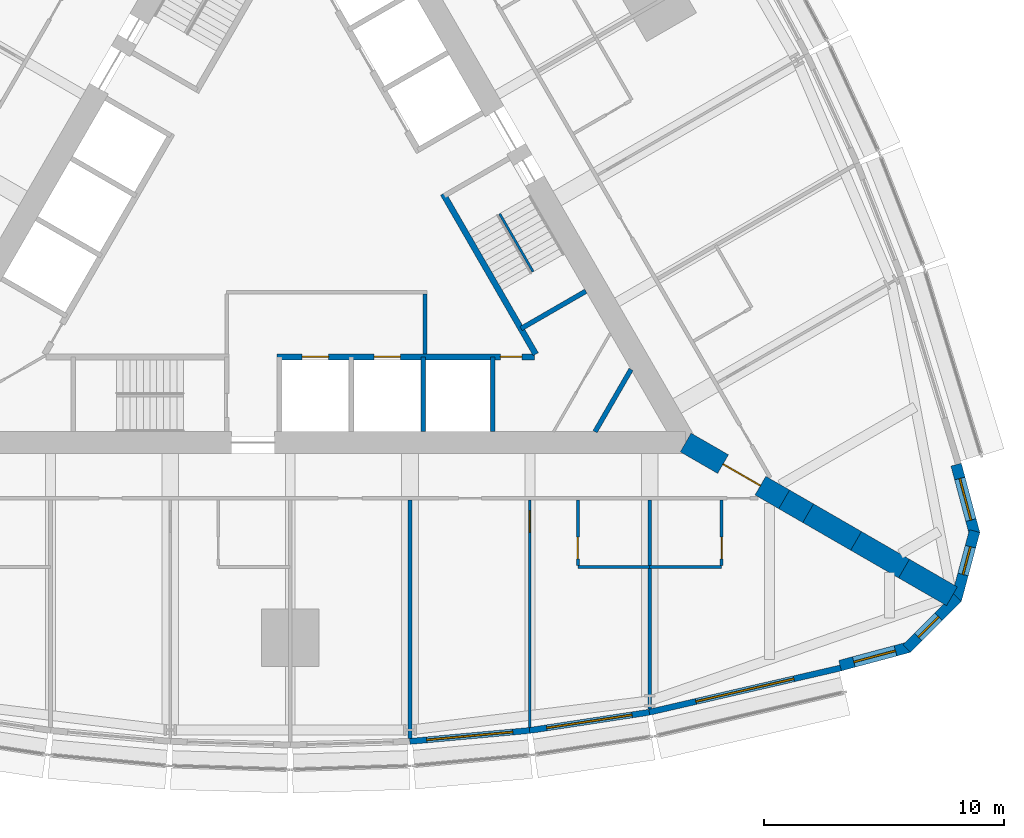
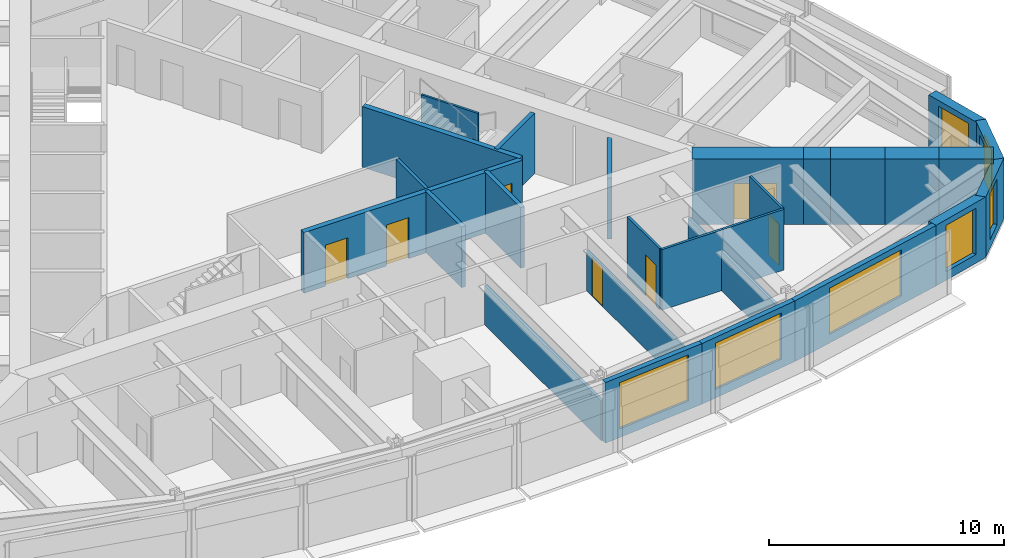
# One storey, part 10 of 14: 27 walls, 7 doors, 7 windows, 14 openings.
"""IFC4 building model written with IfcOpenShell, lengths in metres."""

from ifc_helpers import new_model, si_unit, direction, frame, frame_2d, origin, place, context, subcontext, project, spatial, polyline, rectangle, outline, extrude, material, layer, layer_set, type_object, element, fill, save


model = new_model("IFC4")

# Units and contexts
model_context = context("Model", 3, precision=1e-05, world=origin(), true_north=direction((0.0, 1.0)))
body_context = subcontext(model_context, "Body", "Model", "MODEL_VIEW")
ifc_project = project(units=[si_unit("LENGTHUNIT", "METRE"), si_unit("AREAUNIT", "SQUARE_METRE"), si_unit("VOLUMEUNIT", "CUBIC_METRE"), si_unit("PLANEANGLEUNIT", "RADIAN"), si_unit("MASSUNIT", "GRAM", prefix="KILO")], contexts=[model_context])

# Site, building, storey
site_placement = place(None, origin())
site = spatial("IfcSite", under=ifc_project, at=site_placement, CompositionType="ELEMENT")
building_placement = place(site_placement, origin())
building = spatial("IfcBuilding", under=site, at=building_placement, Name="Trikona Tower", CompositionType="ELEMENT")
storey_placement = place(building_placement, frame((0.0, 0.0, 99.89990234375)))
storey = spatial("IfcBuildingStorey", under=building, at=storey_placement, Name="L26", CompositionType="ELEMENT", Elevation=99.89990234375)

# Wall
ifc_material_1 = material(Name="Metal stud and cement board", Category="gypsum")
ifc_layer_1 = layer(ifc_material_1, 0.1201171875)
ifc_layer_set_1 = layer_set([ifc_layer_1], Name="Bathroom wall 120")
wall_type_1 = type_object("IfcWallType", Name="Bathroom wall 120", PredefinedType="PLUMBINGWALL", material=ifc_layer_set_1)
wall_1_placement = place(storey_placement, frame((12.0, -14.726318359375, 0.0), z_axis=(0.0, 0.0, 1.0), x_axis=(1.0, 0.0, 0.0)))
element("IfcWall", 1, at=wall_1_placement, inside=storey, type_object=wall_type_1, Name="Bathroom wall 2603.1", PredefinedType="PLUMBINGWALL", context=body_context, shape_type="SweptSolid", body=[
    extrude(rectangle(XDim=3.0, YDim=0.1201171875, at=frame_2d((1.5, 0.0))), origin(), (0.0, 0.0, 1.0), 3.150146484375),
])

# Wall, opening, door
wall_2_placement = place(storey_placement, frame((12.0, -11.92626953125, 0.0), z_axis=(0.0, 0.0, 1.0), x_axis=(0.0, -1.0, 0.0)))
wall_2 = element("IfcWall", 2, at=wall_2_placement, inside=storey, type_object=wall_type_1, Name="Bathroom wall 2603.1", PredefinedType="PLUMBINGWALL", context=body_context, shape_type="SweptSolid", body=[
    extrude(rectangle(XDim=2.739990234375, YDim=0.1201171875, at=frame_2d((1.3701171875, 0.0))), origin(), (0.0, 0.0, 1.0), 3.150146484375),
])
opening_1_placement = place(wall_2_placement, frame((1.550048828125, 0.0, 0.0)))
opening_1 = element("IfcOpeningElement", 3, at=opening_1_placement, cuts=wall_2, Name="Opening D2", PredefinedType="OPENING", context=body_context, shape_type="SweptSolid", body=[
    extrude(rectangle(XDim=0.89990234375, YDim=2.1298828125, at=frame_2d((0.449951171875, 1.06494140625))), frame((0.0, 0.070068359375, 0.0), z_axis=(0.0, -1.0, 0.0), x_axis=(1.0, 0.0, 0.0)), (0.0, 0.0, 1.0), 0.14013671875),
])
ifc_material_2 = material(Name="Steel door frame with solid-core timber leaf", Category="steel")
door_type_1 = type_object("IfcDoorType", Name="Bathroom door 900x2130", OperationType="SLIDING_TO_LEFT", PredefinedType="DOOR", material=ifc_material_2)
door_1_placement = place(opening_1_placement, origin())
door_1 = element("IfcDoor", 4, at=door_1_placement, inside=storey, type_object=door_type_1, Name="Bathroom door 2603.1", OperationType="SLIDING_TO_LEFT", OverallHeight=2.1298828125, OverallWidth=0.89990234375, PredefinedType="DOOR", context=body_context, shape_type="SweptSolid", body=[
    extrude(rectangle(XDim=0.89990234375, YDim=2.1298828125, at=frame_2d((0.449951171875, 1.06494140625))), frame((0.0, 0.02490234375, 0.0), z_axis=(0.0, -1.0, 0.0), x_axis=(1.0, 0.0, 0.0)), (0.0, 0.0, 1.0), 0.050048828125),
])
fill(opening_1, door_1)

# Wall
wall_3_placement = place(storey_placement, frame((15.0, -14.726318359375, 0.0), z_axis=(0.0, 0.0, 1.0), x_axis=(1.0, 0.0, 0.0)))
element("IfcWall", 5, at=wall_3_placement, inside=storey, type_object=wall_type_1, Name="Bathroom wall 2604", PredefinedType="PLUMBINGWALL", context=body_context, shape_type="SweptSolid", body=[
    extrude(rectangle(XDim=3.0, YDim=0.1201171875, at=frame_2d((1.5, 0.0))), origin(), (0.0, 0.0, 1.0), 3.150146484375),
])

# Wall, opening, door
wall_4_placement = place(storey_placement, frame((18.0, -11.92626953125, 0.0), z_axis=(0.0, 0.0, 1.0), x_axis=(0.0, -1.0, 0.0)))
wall_4 = element("IfcWall", 6, at=wall_4_placement, inside=storey, type_object=wall_type_1, Name="Bathroom wall 2604", PredefinedType="PLUMBINGWALL", context=body_context, shape_type="SweptSolid", body=[
    extrude(rectangle(XDim=2.739990234375, YDim=0.1201171875, at=frame_2d((1.3701171875, 0.0))), origin(), (0.0, 0.0, 1.0), 3.150146484375),
])
opening_2_placement = place(wall_4_placement, frame((1.550048828125, 0.0, 0.0)))
opening_2 = element("IfcOpeningElement", 7, at=opening_2_placement, cuts=wall_4, Name="Opening D2", PredefinedType="OPENING", context=body_context, shape_type="SweptSolid", body=[
    extrude(rectangle(XDim=0.89990234375, YDim=2.1298828125, at=frame_2d((0.449951171875, 1.06494140625))), frame((0.0, 0.070068359375, 0.0), z_axis=(0.0, -1.0, 0.0), x_axis=(1.0, 0.0, 0.0)), (0.0, 0.0, 1.0), 0.14013671875),
])
door_2_placement = place(opening_2_placement, origin())
door_2 = element("IfcDoor", 8, at=door_2_placement, inside=storey, type_object=door_type_1, Name="Bathroom door 2604", OperationType="SLIDING_TO_LEFT", OverallHeight=2.1298828125, OverallWidth=0.89990234375, PredefinedType="DOOR", context=body_context, shape_type="SweptSolid", body=[
    extrude(rectangle(XDim=0.89990234375, YDim=2.1298828125, at=frame_2d((0.449951171875, 1.06494140625))), frame((0.0, 0.02490234375, 0.0), z_axis=(0.0, -1.0, 0.0), x_axis=(1.0, 0.0, 0.0)), (0.0, 0.0, 1.0), 0.050048828125),
])
fill(opening_2, door_2)

# Wall, opening, window
ifc_material_3 = material(Name="Brick-faced precast concrete", Category="masonry")
ifc_layer_2 = layer(ifc_material_3, 0.449951171875)
ifc_layer_set_2 = layer_set([ifc_layer_2], Name="Brick-faced corner wall 450")
wall_type_2 = type_object("IfcWallType", Name="Brick-faced corner wall 450", PredefinedType="SOLIDWALL", material=ifc_layer_set_2)
wall_5_placement = place(storey_placement, frame((22.94189453125, -18.835205078125, 0.0), z_axis=(0.0, 0.0, 1.0), x_axis=(0.965930548995, 0.258801419081, 0.0)))
wall_5 = element("IfcWall", 9, at=wall_5_placement, inside=storey, type_object=wall_type_2, Name="External wall L26-08", PredefinedType="SOLIDWALL", context=body_context, shape_type="SweptSolid", body=[
    extrude(rectangle(XDim=2.988525390625, YDim=0.449951171875, at=frame_2d((1.494140625, 0.0))), origin(), (0.0, 0.0, 1.0), 3.150146484375),
])
opening_3_placement = place(wall_5_placement, frame((0.59423828125, 0.0, 0.449951171875)))
opening_3 = element("IfcOpeningElement", 10, at=opening_3_placement, cuts=wall_5, Name="Opening W1824", PredefinedType="OPENING", context=body_context, shape_type="SweptSolid", body=[
    extrude(rectangle(XDim=1.800048828125, YDim=2.39990234375, at=frame_2d((0.89990234375, 1.199951171875))), frame((0.0, 0.23486328125, 0.0), z_axis=(0.0, -1.0, 0.0), x_axis=(1.0, 0.0, 0.0)), (0.0, 0.0, 1.0), 0.469970703125),
])
ifc_material_4 = material(Name="Aluminium-framed double glazing", Category="aluminium")
window_type_1 = type_object("IfcWindowType", Name="Window 1800x2400", PartitioningType="SINGLE_PANEL", PredefinedType="WINDOW", material=ifc_material_4)
window_1_placement = place(opening_3_placement, origin())
window_1 = element("IfcWindow", 11, at=window_1_placement, inside=storey, type_object=window_type_1, Name="Window 2604", OverallHeight=2.39990234375, OverallWidth=1.800048828125, PartitioningType="SINGLE_PANEL", PredefinedType="WINDOW", context=body_context, shape_type="SweptSolid", body=[
    extrude(rectangle(XDim=1.800048828125, YDim=2.39990234375, at=frame_2d((0.89990234375, 1.199951171875))), frame((0.0, 0.030029296875, 0.0), z_axis=(0.0, -1.0, 0.0), x_axis=(1.0, 0.0, 0.0)), (0.0, 0.0, 1.0), 0.06005859375),
])
fill(opening_3, window_1)

wall_6_placement = place(storey_placement, frame((25.727783203125, -18.1201171875, 0.0), z_axis=(0.0, 0.0, 1.0), x_axis=(0.707025086683, 0.707188466253, 0.0)))
wall_6 = element("IfcWall", 12, at=wall_6_placement, inside=storey, type_object=wall_type_2, Name="External wall L26-09", PredefinedType="SOLIDWALL", context=body_context, shape_type="SweptSolid", body=[
    extrude(outline(polyline([(2.988525390625, 0.22509765625), (2.929931640625, 0.22509765625), (2.4375, 0.093017578125), (2.402099609375, 0.22509765625), (0.0, 0.22509765625), (0.0, -0.22509765625), (2.988525390625, -0.22509765625), (2.988525390625, 0.22509765625)])), origin(), (0.0, 0.0, 1.0), 3.150146484375),
])
opening_4_placement = place(wall_6_placement, frame((0.676025390625, 0.0, 0.449951171875)))
opening_4 = element("IfcOpeningElement", 13, at=opening_4_placement, cuts=wall_6, Name="Opening W1224", PredefinedType="OPENING", context=body_context, shape_type="SweptSolid", body=[
    extrude(rectangle(XDim=1.199951171875, YDim=2.39990234375, at=frame_2d((0.60009765625, 1.199951171875))), frame((0.0, 0.23486328125, 0.0), z_axis=(0.0, -1.0, 0.0), x_axis=(1.0, 0.0, 0.0)), (0.0, 0.0, 1.0), 0.469970703125),
])
ifc_material_5 = material(Name="Aluminium-framed double glazing", Category="aluminium")
window_type_2 = type_object("IfcWindowType", Name="Window 1200x2400", PartitioningType="SINGLE_PANEL", PredefinedType="WINDOW", material=ifc_material_5)
window_2_placement = place(opening_4_placement, origin())
window_2 = element("IfcWindow", 14, at=window_2_placement, inside=storey, type_object=window_type_2, Name="Window 2604", OverallHeight=2.39990234375, OverallWidth=1.199951171875, PartitioningType="SINGLE_PANEL", PredefinedType="WINDOW", context=body_context, shape_type="SweptSolid", body=[
    extrude(rectangle(XDim=1.199951171875, YDim=2.39990234375, at=frame_2d((0.60009765625, 1.199951171875))), frame((0.0, 0.030029296875, 0.0), z_axis=(0.0, -1.0, 0.0), x_axis=(1.0, 0.0, 0.0)), (0.0, 0.0, 1.0), 0.06005859375),
])
fill(opening_4, window_2)

wall_7_placement = place(storey_placement, frame((27.78271484375, -16.107666015625, 0.0), z_axis=(0.0, 0.0, 1.0), x_axis=(0.258801419081, 0.965930548995, 0.0)))
wall_7 = element("IfcWall", 15, at=wall_7_placement, inside=storey, type_object=wall_type_2, Name="External wall L26-10", PredefinedType="SOLIDWALL", context=body_context, shape_type="SweptSolid", body=[
    extrude(outline(polyline([(2.988525390625, 0.22509765625), (0.58642578125, 0.22509765625), (0.55126953125, 0.09326171875), (0.0595703125, 0.22509765625), (0.0, 0.22509765625), (0.0, -0.22509765625), (2.988525390625, -0.22509765625), (2.988525390625, 0.22509765625)])), origin(), (0.0, 0.0, 1.0), 3.150146484375),
])
opening_5_placement = place(wall_7_placement, frame((1.112548828125, 0.0, 0.449951171875)))
opening_5 = element("IfcOpeningElement", 16, at=opening_5_placement, cuts=wall_7, Name="Opening W1224", PredefinedType="OPENING", context=body_context, shape_type="SweptSolid", body=[
    extrude(rectangle(XDim=1.199951171875, YDim=2.39990234375, at=frame_2d((0.60009765625, 1.199951171875))), frame((0.0, 0.23486328125, 0.0), z_axis=(0.0, -1.0, 0.0), x_axis=(1.0, 0.0, 0.0)), (0.0, 0.0, 1.0), 0.469970703125),
])
window_3_placement = place(opening_5_placement, origin())
window_3 = element("IfcWindow", 17, at=window_3_placement, inside=storey, type_object=window_type_2, Name="Window 2605", OverallHeight=2.39990234375, OverallWidth=1.199951171875, PartitioningType="SINGLE_PANEL", PredefinedType="WINDOW", context=body_context, shape_type="SweptSolid", body=[
    extrude(rectangle(XDim=1.199951171875, YDim=2.39990234375, at=frame_2d((0.60009765625, 1.199951171875))), frame((0.0, 0.030029296875, 0.0), z_axis=(0.0, -1.0, 0.0), x_axis=(1.0, 0.0, 0.0)), (0.0, 0.0, 1.0), 0.06005859375),
])
fill(opening_5, window_3)

wall_8_placement = place(storey_placement, frame((28.55615234375, -13.33740234375, 0.0), z_axis=(0.0, 0.0, 1.0), x_axis=(-0.258780998834, 0.965936019953, 0.0)))
wall_8 = element("IfcWall", 18, at=wall_8_placement, inside=storey, type_object=wall_type_2, Name="External wall L26-11", PredefinedType="SOLIDWALL", context=body_context, shape_type="SweptSolid", body=[
    extrude(rectangle(XDim=2.98876953125, YDim=0.449951171875, at=frame_2d((1.494384765625, 0.0))), origin(), (0.0, 0.0, 1.0), 3.150146484375),
])
opening_6_placement = place(wall_8_placement, frame((0.59423828125, 0.0, 0.449951171875)))
opening_6 = element("IfcOpeningElement", 19, at=opening_6_placement, cuts=wall_8, Name="Opening W1824", PredefinedType="OPENING", context=body_context, shape_type="SweptSolid", body=[
    extrude(rectangle(XDim=1.800048828125, YDim=2.39990234375, at=frame_2d((0.89990234375, 1.199951171875))), frame((0.0, 0.23486328125, 0.0), z_axis=(0.0, -1.0, 0.0), x_axis=(1.0, 0.0, 0.0)), (0.0, 0.0, 1.0), 0.469970703125),
])
window_4_placement = place(opening_6_placement, origin())
window_4 = element("IfcWindow", 20, at=window_4_placement, inside=storey, type_object=window_type_1, Name="Window 2605", OverallHeight=2.39990234375, OverallWidth=1.800048828125, PartitioningType="SINGLE_PANEL", PredefinedType="WINDOW", context=body_context, shape_type="SweptSolid", body=[
    extrude(rectangle(XDim=1.800048828125, YDim=2.39990234375, at=frame_2d((0.89990234375, 1.199951171875))), frame((0.0, 0.030029296875, 0.0), z_axis=(0.0, -1.0, 0.0), x_axis=(1.0, 0.0, 0.0)), (0.0, 0.0, 1.0), 0.06005859375),
])
fill(opening_6, window_4)

# Wall, opening, door
ifc_material_6 = material(Name="Concrete f'c 10000 psi", Category="concrete")
ifc_layer_3 = layer(ifc_material_6, 0.89990234375)
ifc_layer_set_3 = layer_set([ifc_layer_3], Name="Buttress wall 900")
wall_type_3 = type_object("IfcWallType", Name="Buttress wall 900", PredefinedType="SHEAR", material=ifc_layer_set_3)
wall_9_placement = place(storey_placement, frame((16.5, -9.5263671875, 0.0), z_axis=(0.0, 0.0, 1.0), x_axis=(0.866031398331, -0.499989616998, 0.0)))
wall_9 = element("IfcWall", 21, at=wall_9_placement, inside=storey, type_object=wall_type_3, Name="Buttress wall 1", PredefinedType="SHEAR", context=body_context, shape_type="SweptSolid", body=[
    extrude(rectangle(XDim=4.74609375, YDim=0.89990234375, at=frame_2d((2.373046875, 0.0))), origin(), (0.0, 0.0, 1.0), 3.400146484375),
])
opening_7_placement = place(wall_9_placement, frame((1.800048828125, 0.0, 0.0)))
opening_7 = element("IfcOpeningElement", 22, at=opening_7_placement, cuts=wall_9, Name="Opening D10", PredefinedType="OPENING", context=body_context, shape_type="SweptSolid", body=[
    extrude(rectangle(XDim=1.800048828125, YDim=2.1298828125, at=frame_2d((0.89990234375, 1.06494140625))), frame((0.0, 0.4599609375, 0.0), z_axis=(0.0, -1.0, 0.0), x_axis=(1.0, 0.0, 0.0)), (0.0, 0.0, 1.0), 0.919921875),
])
ifc_material_7 = material(Name="Hollow metal door and frame", Category="steel")
door_type_2 = type_object("IfcDoorType", Name="Cross-corridor door pair 1800x2130", OperationType="DOUBLE_DOOR_DOUBLE_SWING", PredefinedType="DOOR", material=ifc_material_7)
door_3_placement = place(opening_7_placement, origin())
door_3 = element("IfcDoor", 23, at=door_3_placement, inside=storey, type_object=door_type_2, Name="Cross-corridor door 1", OperationType="DOUBLE_DOOR_DOUBLE_SWING", OverallHeight=2.1298828125, OverallWidth=1.800048828125, PredefinedType="DOOR", context=body_context, shape_type="SweptSolid", body=[
    extrude(rectangle(XDim=1.800048828125, YDim=2.1298828125, at=frame_2d((0.89990234375, 1.06494140625))), frame((0.0, 0.02490234375, 0.0), z_axis=(0.0, -1.0, 0.0), x_axis=(1.0, 0.0, 0.0)), (0.0, 0.0, 1.0), 0.050048828125),
])
fill(opening_7, door_3)

# Walls
wall_10_placement = place(storey_placement, frame((20.6103515625, -11.8994140625, 0.0), z_axis=(0.0, 0.0, 1.0), x_axis=(0.866009537788, -0.500027479704, 0.0)))
element("IfcWall", 24, at=wall_10_placement, inside=storey, type_object=wall_type_3, Name="Buttress wall 1 part 2", PredefinedType="SHEAR", context=body_context, shape_type="SweptSolid", body=[
    extrude(rectangle(XDim=1.15478515625, YDim=0.89990234375, at=frame_2d((0.577392578125, 0.0))), origin(), (0.0, 0.0, 1.0), 3.400146484375),
])
for number, where, z_axis, x_axis, name in (
    (25, (21.6103515625, -12.476806640625, 0.0), (0.0, 0.0, 1.0), (0.866055313784, -0.499948190782, 0.0), "Buttress wall 1 part 3"),
    (26, (23.6103515625, -13.63134765625, 0.0), (0.0, 0.0, 1.0), (0.866009537788, -0.500027479704, 0.0), "Buttress wall 1 part 4"),
    (27, (25.6103515625, -14.7861328125, 0.0), (0.0, 0.0, 1.0), (0.866009537788, -0.500027479704, 0.0), "Buttress wall 1 part 5"),
):
    element("IfcWall", number, at=place(storey_placement, frame(where, z_axis=z_axis, x_axis=x_axis)), inside=storey, type_object=wall_type_3, Name=name, PredefinedType="SHEAR", context=body_context, shape_type="SweptSolid", body=[
        extrude(rectangle(XDim=2.309326171875, YDim=0.89990234375, at=frame_2d((1.15478515625, 0.0))), origin(), (0.0, 0.0, 1.0), 3.400146484375),
    ])

# Wall, openings, doors
ifc_material_8 = material(Name="Concrete f'c 8000 psi", Category="concrete")
ifc_layer_4 = layer(ifc_material_8, 0.25)
ifc_layer_set_4 = layer_set([ifc_layer_4], Name="Hub wall 250")
wall_type_4 = type_object("IfcWallType", Name="Hub wall 250", PredefinedType="SOLIDWALL", material=ifc_layer_set_4)
wall_11_placement = place(storey_placement, frame((-0.550048828125, -5.951416015625, 0.0), z_axis=(0.0, 0.0, 1.0), x_axis=(1.0, 0.0, 0.0)))
wall_11 = element("IfcWall", 28, at=wall_11_placement, inside=storey, type_object=wall_type_4, Name="Lift lobby wall A2", PredefinedType="SOLIDWALL", context=body_context, shape_type="SweptSolid", body=[
    extrude(rectangle(XDim=10.73291015625, YDim=0.25, at=frame_2d((5.366455078125, 0.0))), origin(), (0.0, 0.0, 1.0), 3.150146484375),
])
opening_8_placement = place(wall_11_placement, frame((9.31396484375, 0.0, 0.0)))
opening_8 = element("IfcOpeningElement", 29, at=opening_8_placement, cuts=wall_11, Name="Opening D14", PredefinedType="OPENING", context=body_context, shape_type="SweptSolid", body=[
    extrude(rectangle(XDim=0.89990234375, YDim=2.1298828125, at=frame_2d((0.449951171875, 1.06494140625))), frame((0.0, 0.135009765625, 0.0), z_axis=(0.0, -1.0, 0.0), x_axis=(1.0, 0.0, 0.0)), (0.0, 0.0, 1.0), 0.27001953125),
])
opening_9_placement = place(wall_11_placement, frame((1.050048828125, 0.0, 0.0)))
opening_9 = element("IfcOpeningElement", 30, at=opening_9_placement, cuts=wall_11, Name="Opening LD", PredefinedType="OPENING", context=body_context, shape_type="SweptSolid", body=[
    extrude(rectangle(XDim=1.10009765625, YDim=2.1298828125, at=frame_2d((0.550048828125, 1.06494140625))), frame((0.0, 0.135009765625, 0.0), z_axis=(0.0, -1.0, 0.0), x_axis=(1.0, 0.0, 0.0)), (0.0, 0.0, 1.0), 0.27001953125),
])
opening_10_placement = place(wall_11_placement, frame((4.050048828125, 0.0, 0.0)))
opening_10 = element("IfcOpeningElement", 31, at=opening_10_placement, cuts=wall_11, Name="Opening LD", PredefinedType="OPENING", context=body_context, shape_type="SweptSolid", body=[
    extrude(rectangle(XDim=1.10009765625, YDim=2.1298828125, at=frame_2d((0.550048828125, 1.06494140625))), frame((0.0, 0.135009765625, 0.0), z_axis=(0.0, -1.0, 0.0), x_axis=(1.0, 0.0, 0.0)), (0.0, 0.0, 1.0), 0.27001953125),
])
ifc_material_9 = material(Name="Stainless steel lift landing door", Category="steel")
door_type_3 = type_object("IfcDoorType", Name="Lift landing door 1100x2130", OperationType="DOUBLE_DOOR_SLIDING", PredefinedType="USERDEFINED", material=ifc_material_9)
door_4_placement = place(opening_9_placement, origin())
door_4 = element("IfcDoor", 32, at=door_4_placement, inside=storey, type_object=door_type_3, Name="Lift landing door FF1", ObjectType="LIFT LANDING DOOR", OperationType="DOUBLE_DOOR_SLIDING", OverallHeight=2.1298828125, OverallWidth=1.10009765625, PredefinedType="USERDEFINED", context=body_context, shape_type="SweptSolid", body=[
    extrude(rectangle(XDim=1.10009765625, YDim=2.1298828125, at=frame_2d((0.550048828125, 1.06494140625))), frame((0.0, 0.02490234375, 0.0), z_axis=(0.0, -1.0, 0.0), x_axis=(1.0, 0.0, 0.0)), (0.0, 0.0, 1.0), 0.050048828125),
])
fill(opening_9, door_4)
door_5_placement = place(opening_10_placement, origin())
door_5 = element("IfcDoor", 33, at=door_5_placement, inside=storey, type_object=door_type_3, Name="Lift landing door FF2", ObjectType="LIFT LANDING DOOR", OperationType="DOUBLE_DOOR_SLIDING", OverallHeight=2.1298828125, OverallWidth=1.10009765625, PredefinedType="USERDEFINED", context=body_context, shape_type="SweptSolid", body=[
    extrude(rectangle(XDim=1.10009765625, YDim=2.1298828125, at=frame_2d((0.550048828125, 1.06494140625))), frame((0.0, 0.02490234375, 0.0), z_axis=(0.0, -1.0, 0.0), x_axis=(1.0, 0.0, 0.0)), (0.0, 0.0, 1.0), 0.050048828125),
])
fill(opening_10, door_5)
ifc_material_10 = material(Name="Hollow metal door and frame", Category="steel")
door_type_4 = type_object("IfcDoorType", Name="Service room door 900x2130", OperationType="SINGLE_SWING_LEFT", PredefinedType="DOOR", material=ifc_material_10)
door_6_placement = place(opening_8_placement, origin())
door_6 = element("IfcDoor", 34, at=door_6_placement, inside=storey, type_object=door_type_4, Name="Door Housekeeping store HKS", OperationType="SINGLE_SWING_RIGHT", OverallHeight=2.1298828125, OverallWidth=0.89990234375, PredefinedType="DOOR", context=body_context, shape_type="SweptSolid", body=[
    extrude(rectangle(XDim=0.89990234375, YDim=2.1298828125, at=frame_2d((0.449951171875, 1.06494140625))), frame((0.0, 0.02490234375, 0.0), z_axis=(0.0, -1.0, 0.0), x_axis=(1.0, 0.0, 0.0)), (0.0, 0.0, 1.0), 0.050048828125),
])
fill(opening_8, door_6)

# Wall
wall_12_placement = place(storey_placement, frame((10.245361328125, -5.843017578125, 0.0), z_axis=(0.0, 0.0, 1.0), x_axis=(-0.499993009313, 0.866029439822, 0.0)))
element("IfcWall", 35, at=wall_12_placement, inside=storey, type_object=wall_type_4, Name="Lift lobby wall B1", PredefinedType="SOLIDWALL", context=body_context, shape_type="SweptSolid", body=[
    extrude(rectangle(XDim=7.73291015625, YDim=0.25, at=frame_2d((3.866455078125, 0.0))), origin(), (0.0, 0.0, 1.0), 3.150146484375),
])

# Wall, opening, window
ifc_material_11 = material(Name="Insulated precast concrete spandrel panel", Category="concrete")
ifc_layer_5 = layer(ifc_material_11, 0.25)
ifc_layer_set_5 = layer_set([ifc_layer_5], Name="Inner skin wall 250")
wall_type_5 = type_object("IfcWallType", Name="Inner skin wall 250", PredefinedType="STANDARD", material=ifc_layer_set_5)
wall_13_placement = place(storey_placement, frame((4.988525390625, -21.995849609375, 0.0), z_axis=(0.0, 0.0, 1.0), x_axis=(0.995857256774, 0.090930325692, 0.0)))
wall_13 = element("IfcWall", 36, at=wall_13_placement, inside=storey, type_object=wall_type_5, Name="External wall L26-05", PredefinedType="STANDARD", context=body_context, shape_type="SweptSolid", body=[
    extrude(rectangle(XDim=5.020751953125, YDim=0.25, at=frame_2d((2.51025390625, 0.0))), origin(), (0.0, 0.0, 1.0), 3.150146484375),
])
opening_11_placement = place(wall_13_placement, frame((0.71044921875, 0.0, 0.449951171875)))
opening_11 = element("IfcOpeningElement", 37, at=opening_11_placement, cuts=wall_13, Name="Opening W3624", PredefinedType="OPENING", context=body_context, shape_type="SweptSolid", body=[
    extrude(rectangle(XDim=3.60009765625, YDim=2.39990234375, at=frame_2d((1.800048828125, 1.199951171875))), frame((0.0, 0.135009765625, 0.0), z_axis=(0.0, -1.0, 0.0), x_axis=(1.0, 0.0, 0.0)), (0.0, 0.0, 1.0), 0.27001953125),
])
ifc_material_12 = material(Name="Aluminium-framed double glazing", Category="aluminium")
window_type_3 = type_object("IfcWindowType", Name="Window 3600x2400", PartitioningType="SINGLE_PANEL", PredefinedType="WINDOW", material=ifc_material_12)
window_5_placement = place(opening_11_placement, origin())
window_5 = element("IfcWindow", 38, at=window_5_placement, inside=storey, type_object=window_type_3, Name="Window 2603", OverallHeight=2.39990234375, OverallWidth=3.60009765625, PartitioningType="SINGLE_PANEL", PredefinedType="WINDOW", context=body_context, shape_type="SweptSolid", body=[
    extrude(rectangle(XDim=3.60009765625, YDim=2.39990234375, at=frame_2d((1.800048828125, 1.199951171875))), frame((0.0, 0.030029296875, 0.0), z_axis=(0.0, -1.0, 0.0), x_axis=(1.0, 0.0, 0.0)), (0.0, 0.0, 1.0), 0.06005859375),
])
fill(opening_11, window_5)

wall_14_placement = place(storey_placement, frame((9.981201171875, -21.540283203125, 0.0), z_axis=(0.0, 0.0, 1.0), x_axis=(0.988615403399, 0.150464561152, 0.0)))
wall_14 = element("IfcWall", 39, at=wall_14_placement, inside=storey, type_object=wall_type_5, Name="External wall L26-06", PredefinedType="STANDARD", context=body_context, shape_type="SweptSolid", body=[
    extrude(rectangle(XDim=5.0576171875, YDim=0.25, at=frame_2d((2.52880859375, 0.0))), origin(), (0.0, 0.0, 1.0), 3.150146484375),
])
opening_12_placement = place(wall_14_placement, frame((0.728759765625, 0.0, 0.449951171875)))
opening_12 = element("IfcOpeningElement", 40, at=opening_12_placement, cuts=wall_14, Name="Opening W3624", PredefinedType="OPENING", context=body_context, shape_type="SweptSolid", body=[
    extrude(rectangle(XDim=3.60009765625, YDim=2.39990234375, at=frame_2d((1.800048828125, 1.199951171875))), frame((0.0, 0.135009765625, 0.0), z_axis=(0.0, -1.0, 0.0), x_axis=(1.0, 0.0, 0.0)), (0.0, 0.0, 1.0), 0.27001953125),
])
window_6_placement = place(opening_12_placement, origin())
window_6 = element("IfcWindow", 41, at=window_6_placement, inside=storey, type_object=window_type_3, Name="Window 2603.1", OverallHeight=2.39990234375, OverallWidth=3.60009765625, PartitioningType="SINGLE_PANEL", PredefinedType="WINDOW", context=body_context, shape_type="SweptSolid", body=[
    extrude(rectangle(XDim=3.60009765625, YDim=2.39990234375, at=frame_2d((1.800048828125, 1.199951171875))), frame((0.0, 0.030029296875, 0.0), z_axis=(0.0, -1.0, 0.0), x_axis=(1.0, 0.0, 0.0)), (0.0, 0.0, 1.0), 0.06005859375),
])
fill(opening_12, window_6)

wall_15_placement = place(storey_placement, frame((14.9716796875, -20.78125, 0.0), z_axis=(0.0, 0.0, 1.0), x_axis=(0.974279327392, 0.225343720163, 0.0)))
wall_15 = element("IfcWall", 42, at=wall_15_placement, inside=storey, type_object=wall_type_5, Name="External wall L26-07", PredefinedType="STANDARD", context=body_context, shape_type="SweptSolid", body=[
    extrude(rectangle(XDim=8.211181640625, YDim=0.25, at=frame_2d((4.10546875, 0.0))), origin(), (0.0, 0.0, 1.0), 3.150146484375),
])
opening_13_placement = place(wall_15_placement, frame((2.005615234375, 0.0, 0.449951171875)))
opening_13 = element("IfcOpeningElement", 43, at=opening_13_placement, cuts=wall_15, Name="Opening W4224", PredefinedType="OPENING", context=body_context, shape_type="SweptSolid", body=[
    extrude(rectangle(XDim=4.199951171875, YDim=2.39990234375, at=frame_2d((2.10009765625, 1.199951171875))), frame((0.0, 0.135009765625, 0.0), z_axis=(0.0, -1.0, 0.0), x_axis=(1.0, 0.0, 0.0)), (0.0, 0.0, 1.0), 0.27001953125),
])
ifc_material_13 = material(Name="Aluminium-framed double glazing", Category="aluminium")
window_type_4 = type_object("IfcWindowType", Name="Window 4200x2400", PartitioningType="SINGLE_PANEL", PredefinedType="WINDOW", material=ifc_material_13)
window_7_placement = place(opening_13_placement, origin())
window_7 = element("IfcWindow", 44, at=window_7_placement, inside=storey, type_object=window_type_4, Name="Window 2604", OverallHeight=2.39990234375, OverallWidth=4.199951171875, PartitioningType="SINGLE_PANEL", PredefinedType="WINDOW", context=body_context, shape_type="SweptSolid", body=[
    extrude(rectangle(XDim=4.199951171875, YDim=2.39990234375, at=frame_2d((2.10009765625, 1.199951171875))), frame((0.0, 0.030029296875, 0.0), z_axis=(0.0, -1.0, 0.0), x_axis=(1.0, 0.0, 0.0)), (0.0, 0.0, 1.0), 0.06005859375),
])
fill(opening_13, window_7)

# Walls
ifc_material_14 = material(Name="Metal stud and gypsum board, 2-hour shaft wall", Category="gypsum")
ifc_layer_6 = layer(ifc_material_14, 0.14990234375)
ifc_layer_set_6 = layer_set([ifc_layer_6], Name="Lobby wall 150")
wall_type_6 = type_object("IfcWallType", Name="Lobby wall 150", PredefinedType="PARTITIONING", material=ifc_layer_set_6)
wall_16_placement = place(storey_placement, frame((5.625, -5.826416015625, 0.0), z_axis=(0.0, 0.0, 1.0), x_axis=(0.0, 1.0, 0.0)))
element("IfcWall", 45, at=wall_16_placement, inside=storey, type_object=wall_type_6, Name="Fire service lift lobby wall 3", PredefinedType="PARTITIONING", context=body_context, shape_type="SweptSolid", body=[
    extrude(rectangle(XDim=2.5, YDim=0.14990234375, at=frame_2d((1.25, 0.0))), origin(), (0.0, 0.0, 1.0), 3.150146484375),
])
ifc_material_15 = material(Name="Metal stud and gypsum board, 1-hour acoustic", Category="gypsum")
ifc_layer_7 = layer(ifc_material_15, 0.14990234375)
ifc_layer_set_7 = layer_set([ifc_layer_7], Name="Party wall 150")
wall_type_7 = type_object("IfcWallType", Name="Party wall 150", PredefinedType="PARTITIONING", material=ifc_layer_set_7)
wall_17_placement = place(storey_placement, frame((5.0, -11.92626953125, 0.0), z_axis=(0.0, 0.0, 1.0), x_axis=(0.0, -1.0, 0.0)))
element("IfcWall", 46, at=wall_17_placement, inside=storey, type_object=wall_type_7, Name="Partition L26 F1 u5", PredefinedType="PARTITIONING", context=body_context, shape_type="SweptSolid", body=[
    extrude(rectangle(XDim=9.943115234375, YDim=0.14990234375, at=frame_2d((4.9716796875, 0.0))), origin(), (0.0, 0.0, 1.0), 2.050048828125),
])
wall_18_placement = place(storey_placement, frame((15.0, -11.92626953125, 0.0), z_axis=(0.0, 0.0, 1.0), x_axis=(0.0, -1.0, 0.0)))
element("IfcWall", 47, at=wall_18_placement, inside=storey, type_object=wall_type_7, Name="Partition L26 F1 u15", PredefinedType="PARTITIONING", context=body_context, shape_type="SweptSolid", body=[
    extrude(rectangle(XDim=8.72021484375, YDim=0.14990234375, at=frame_2d((4.360107421875, 0.0))), origin(), (0.0, 0.0, 1.0), 2.050048828125),
])
ifc_material_16 = material(Name="Concrete f'c 8000 psi", Category="concrete")
ifc_layer_8 = layer(ifc_material_16, 0.199951171875)
ifc_layer_set_8 = layer_set([ifc_layer_8], Name="Shaft wall 200")
wall_type_8 = type_object("IfcWallType", Name="Shaft wall 200", PredefinedType="SOLIDWALL", material=ifc_layer_set_8)
for number, where, z_axis, x_axis, name in (
    (48, (5.550048828125, -5.951416015625, 0.0), (0.0, 0.0, 1.0), (0.0, -1.0, 0.0), "Shaft wall A5"),
    (49, (8.449951171875, -5.951416015625, 0.0), (0.0, 0.0, 1.0), (0.0, -1.0, 0.0), "Shaft wall A6"),
):
    element("IfcWall", number, at=place(storey_placement, frame(where, z_axis=z_axis, x_axis=x_axis)), inside=storey, type_object=wall_type_8, Name=name, PredefinedType="SOLIDWALL", context=body_context, shape_type="SweptSolid", body=[
        extrude(rectangle(XDim=3.125, YDim=0.199951171875, at=frame_2d((1.5625, 0.0))), origin(), (0.0, 0.0, 1.0), 3.150146484375),
    ])
wall_19_placement = place(storey_placement, frame((14.219482421875, -6.476318359375, 0.0), z_axis=(0.0, 0.0, 1.0), x_axis=(-0.499952404951, -0.866052881055, 0.0)))
element("IfcWall", 50, at=wall_19_placement, inside=storey, type_object=wall_type_8, Name="Riser wall L26-RS1", PredefinedType="SOLIDWALL", context=body_context, shape_type="SweptSolid", body=[
    extrude(rectangle(XDim=3.002197265625, YDim=0.199951171875, at=frame_2d((1.5009765625, 0.0))), origin(), (0.0, 0.0, 1.0), 3.150146484375),
])
ifc_material_17 = material(Name="Concrete f'c 8000 psi", Category="concrete")
ifc_layer_9 = layer(ifc_material_17, 0.199951171875)
ifc_layer_set_9 = layer_set([ifc_layer_9], Name="Shaft wall 200 load-bearing")
wall_type_9 = type_object("IfcWallType", Name="Shaft wall 200 load-bearing", PredefinedType="SOLIDWALL", material=ifc_layer_set_9)
wall_20_placement = place(storey_placement, frame((9.62890625, -4.775390625, 0.0), z_axis=(0.0, 0.0, 1.0), x_axis=(0.866022959057, 0.500004234368, 0.0)))
element("IfcWall", 51, at=wall_20_placement, inside=storey, type_object=wall_type_9, Name="Shaft wall B1", PredefinedType="SOLIDWALL", context=body_context, shape_type="SweptSolid", body=[
    extrude(rectangle(XDim=3.125, YDim=0.199951171875, at=frame_2d((1.5625, 0.0))), origin(), (0.0, 0.0, 1.0), 3.150146484375),
])
ifc_material_18 = material(Name="Concrete f'c 5000 psi", Category="concrete")
ifc_layer_10 = layer(ifc_material_18, 0.10009765625)
ifc_layer_set_10 = layer_set([ifc_layer_10], Name="Stair spine wall 100")
wall_type_10 = type_object("IfcWallType", Name="Stair spine wall 100", PredefinedType="SOLIDWALL", material=ifc_layer_set_10)
wall_21_placement = place(storey_placement, frame((10.134765625, -2.4013671875, 0.0), z_axis=(0.0, 0.0, 1.0), x_axis=(-0.499992232847, 0.866029888106, 0.0)))
element("IfcWall", 52, at=wall_21_placement, inside=storey, type_object=wall_type_10, Name="Stair B spine wall L26", PredefinedType="SOLIDWALL", context=body_context, shape_type="SweptSolid", body=[
    extrude(rectangle(XDim=2.7939453125, YDim=0.10009765625, at=frame_2d((1.39697265625, 0.0))), origin(), (0.0, 0.0, 1.0), 3.400146484375),
])

# Wall, opening, door
ifc_material_19 = material(Name="Metal stud and gypsum board, acoustic", Category="gypsum")
ifc_layer_11 = layer(ifc_material_19, 0.10009765625)
ifc_layer_set_11 = layer_set([ifc_layer_11], Name="Suite partition 100")
wall_type_11 = type_object("IfcWallType", Name="Suite partition 100", PredefinedType="PARTITIONING", material=ifc_layer_set_11)
wall_22_placement = place(storey_placement, frame((10.0, -11.92626953125, 0.0), z_axis=(0.0, 0.0, 1.0), x_axis=(0.0, -1.0, 0.0)))
wall_22 = element("IfcWall", 53, at=wall_22_placement, inside=storey, type_object=wall_type_11, Name="Suite partition L26 F1 u10", PredefinedType="PARTITIONING", context=body_context, shape_type="SweptSolid", body=[
    extrude(rectangle(XDim=9.484619140625, YDim=0.10009765625, at=frame_2d((4.7421875, 0.0))), origin(), (0.0, 0.0, 1.0), 2.108642578125),
])
opening_14_placement = place(wall_22_placement, frame((0.449951171875, 0.0, 0.0)))
opening_14 = element("IfcOpeningElement", 54, at=opening_14_placement, cuts=wall_22, Name="Opening D16", PredefinedType="OPENING", context=body_context, shape_type="SweptSolid", body=[
    extrude(rectangle(XDim=0.89990234375, YDim=2.031982421875, at=frame_2d((0.449951171875, 1.01611328125))), frame((0.0, 0.06005859375, 0.0), z_axis=(0.0, -1.0, 0.0), x_axis=(1.0, 0.0, 0.0)), (0.0, 0.0, 1.0), 0.1201171875),
])
ifc_material_20 = material(Name="Steel door frame with solid-core timber leaf", Category="steel")
door_type_5 = type_object("IfcDoorType", Name="Suite door 900x2032", OperationType="SINGLE_SWING_LEFT", PredefinedType="DOOR", material=ifc_material_20)
door_7_placement = place(opening_14_placement, origin())
door_7 = element("IfcDoor", 55, at=door_7_placement, inside=storey, type_object=door_type_5, Name="Suite door 2603", OperationType="SINGLE_SWING_LEFT", OverallHeight=2.031982421875, OverallWidth=0.89990234375, PredefinedType="DOOR", context=body_context, shape_type="SweptSolid", body=[
    extrude(rectangle(XDim=0.89990234375, YDim=2.031982421875, at=frame_2d((0.449951171875, 1.01611328125))), frame((0.0, 0.02490234375, 0.0), z_axis=(0.0, -1.0, 0.0), x_axis=(1.0, 0.0, 0.0)), (0.0, 0.0, 1.0), 0.050048828125),
])
fill(opening_14, door_7)

save(model, "model.ifc")
